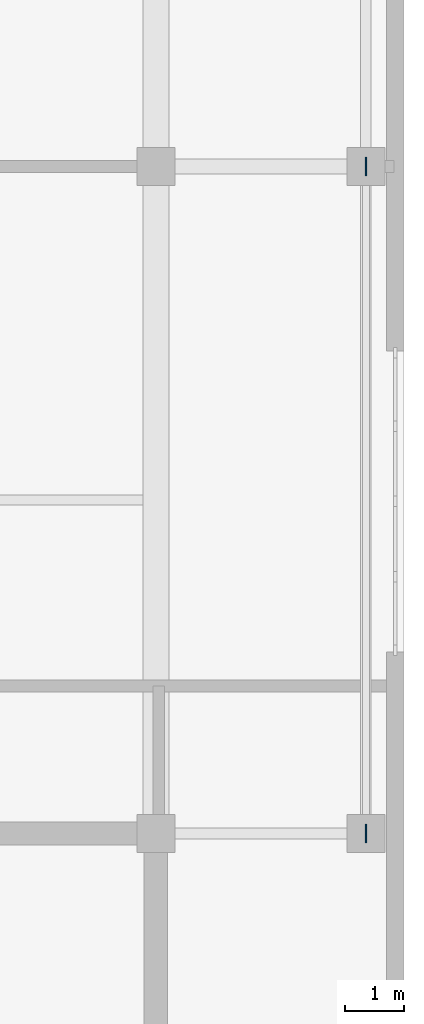
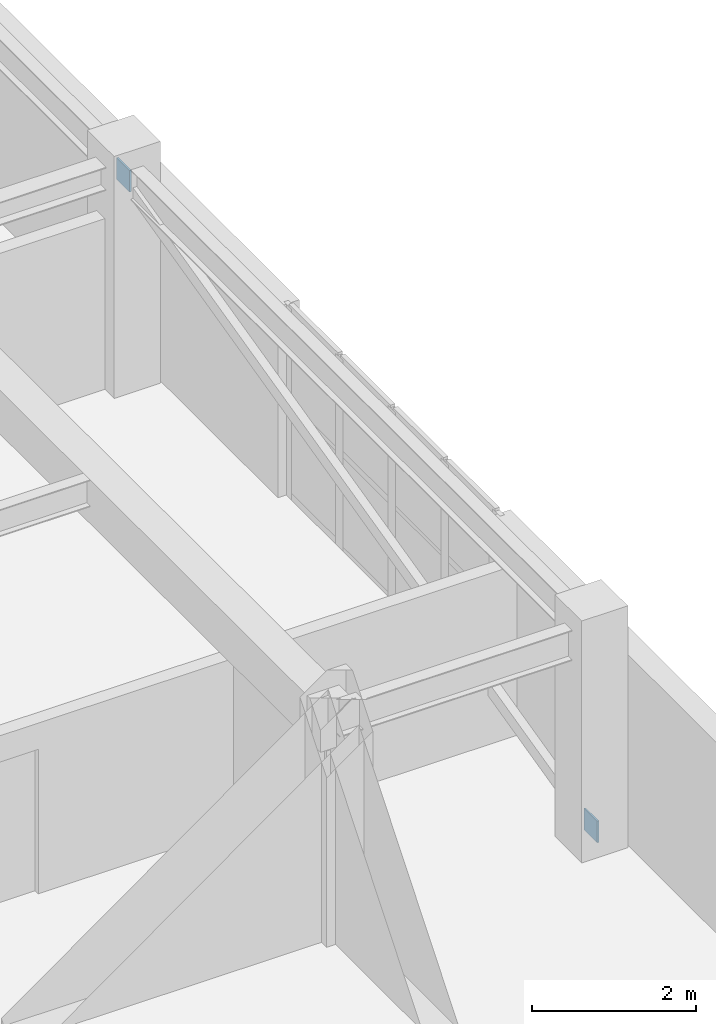
# One storey, part 8 of 9: 2 discrete accessories.
"""IFC4 building model written with IfcOpenShell, lengths in metres."""

from ifc_helpers import new_model, si_unit, direction, frame, origin, origin_2d, place, context, subcontext, project, spatial, rectangle, extrude, material, layer, layer_set, type_object, element, save


model = new_model("IFC4")

# Units and contexts
model_context = context("Model", 3, precision=1e-05, world=origin(), true_north=direction((0.0, 1.0)))
body_context = subcontext(model_context, "Body", "Model", "MODEL_VIEW")
ifc_project = project(units=[si_unit("LENGTHUNIT", "METRE"), si_unit("AREAUNIT", "SQUARE_METRE"), si_unit("VOLUMEUNIT", "CUBIC_METRE"), si_unit("PLANEANGLEUNIT", "RADIAN"), si_unit("MASSUNIT", "GRAM", prefix="KILO")], contexts=[model_context])

# Site, building, storey
site_placement = place(None, origin())
site = spatial("IfcSite", under=ifc_project, at=site_placement, CompositionType="ELEMENT")
building_placement = place(site_placement, origin())
building = spatial("IfcBuilding", under=site, at=building_placement, Name="Svetorya Sky Lyceum", CompositionType="ELEMENT")
storey_placement = place(building_placement, frame((0.0, 0.0, 316.39990234375)))
storey = spatial("IfcBuildingStorey", under=building, at=storey_placement, Name="C05", CompositionType="ELEMENT", Elevation=316.39990234375)

# Discrete accessories
ifc_material = material(Name="Steel S355", Category="steel")
ifc_layer = layer(ifc_material, 0.02392578125)
ifc_layer_set = layer_set([ifc_layer], Name="Steel S355")
discrete_accessory_type = type_object("IfcDiscreteAccessoryType", Name="ACC-GUSSET-24", PredefinedType="BRACKET", material=ifc_layer_set)
for number, where, z_axis, x_axis, name in (
    (1, (56.389892578125, 16.800048828125, 0.08984375), (0.0, 0.0, 1.0), (1.0, 0.0, 0.0), "C05 Brace Node Gusset Plate 211"),
    (2, (56.389892578125, 28.199951171875, 2.85986328125), (0.0, 0.0, 1.0), (1.0, 0.0, 0.0), "C05 Brace Node Gusset Plate 212"),
):
    element("IfcDiscreteAccessory", number, at=place(storey_placement, frame(where, z_axis=z_axis, x_axis=x_axis)), inside=storey, type_object=discrete_accessory_type, Name=name, PredefinedType="BRACKET", context=body_context, shape_type="SweptSolid", body=[
        extrude(rectangle(XDim=0.02392578125, YDim=0.320068359375, at=origin_2d()), origin(), (0.0, 0.0, 1.0), 0.320068359375),
    ])

save(model, "model.ifc")
